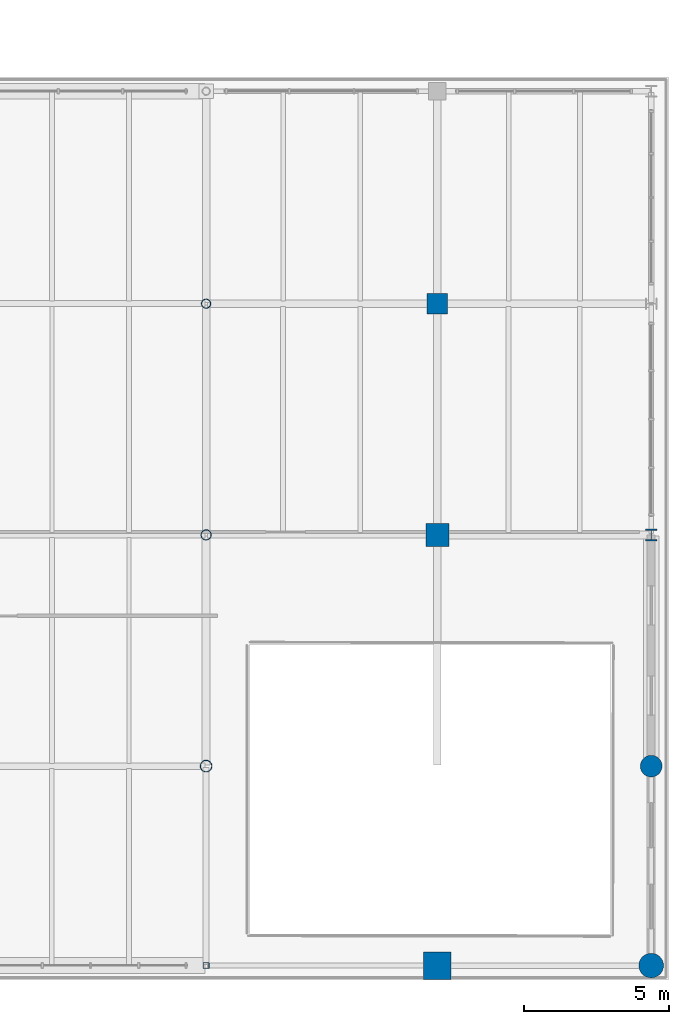
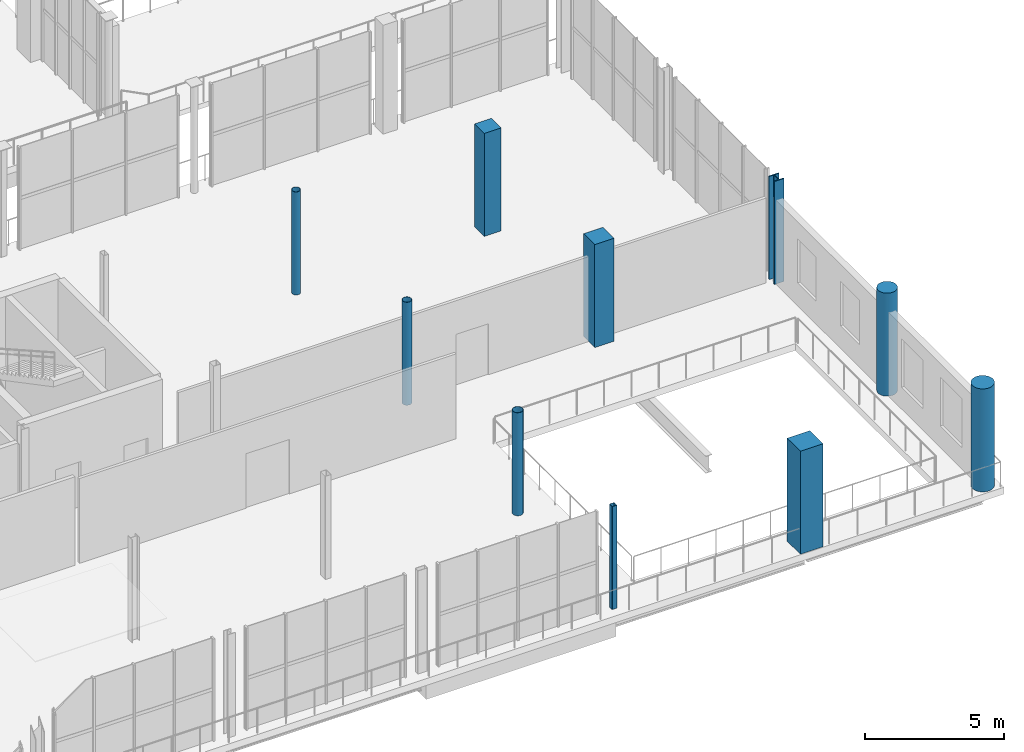
# One storey, part 26 of 93: 10 columns.
"""IFC4 building model written with IfcOpenShell, lengths in metres."""

from ifc_helpers import new_model, si_unit, direction, frame, origin, origin_2d, place, context, subcontext, project, spatial, rectangle, hollow_rectangle, circle, hollow_circle, i_section, extrude, material, material_profile, profile_set, type_object, element, save


model = new_model("IFC4")

# Units and contexts
model_context = context("Model", 3, precision=1e-05, world=origin(), true_north=direction((0.0, 1.0)))
body_context = subcontext(model_context, "Body", "Model", "MODEL_VIEW")
ifc_project = project(units=[si_unit("LENGTHUNIT", "METRE"), si_unit("AREAUNIT", "SQUARE_METRE"), si_unit("VOLUMEUNIT", "CUBIC_METRE"), si_unit("PLANEANGLEUNIT", "RADIAN"), si_unit("MASSUNIT", "GRAM", prefix="KILO")], contexts=[model_context])

# Site, building, storey
site_placement = place(None, origin())
site = spatial("IfcSite", under=ifc_project, at=site_placement, CompositionType="ELEMENT")
building_placement = place(site_placement, origin())
building = spatial("IfcBuilding", under=site, at=building_placement, Name="Brisemont Oceanarium", CompositionType="ELEMENT")
storey_placement = place(building_placement, frame((0.0, 0.0, 5.39990234375)))
storey = spatial("IfcBuildingStorey", under=building, at=storey_placement, Name="L01", CompositionType="ELEMENT", Elevation=5.39990234375)

# Columns
ifc_material_1 = material(Name="Structural Steel ASTM A500 Gr.C", Category="steel")
ifc_material_profile_1 = material_profile(ifc_material_1, hollow_circle(Radius=0.162109375, WallThickness=0.01171875, at=origin_2d()), Name="HSS12.750X0.500")
ifc_profile_set_1 = profile_set([ifc_material_profile_1], Name="Structural Steel ASTM A500 Gr.C")
column_type_1 = type_object("IfcColumnType", Name="COL-CHS12", PredefinedType="COLUMN", material=ifc_profile_set_1)
column_1_placement = place(storey_placement, frame((144.0, 24.0, 0.0), z_axis=(0.0, 0.0, 1.0), x_axis=(0.0, 1.0, 0.0)))
element("IfcColumn", 1, at=column_1_placement, inside=storey, type_object=column_type_1, Name="V3 L01 column (4,3)", PredefinedType="COLUMN", context=body_context, shape_type="SweptSolid", body=[
    extrude(hollow_circle(Radius=0.162109375, WallThickness=0.01171875, at=origin_2d()), origin(), (0.0, 0.0, 1.0), 4.5400390625),
])
ifc_material_2 = material(Name="Structural Steel ASTM A500 Gr.C", Category="steel")
ifc_material_profile_2 = material_profile(ifc_material_2, hollow_circle(Radius=0.177978515625, WallThickness=0.01171875, at=origin_2d()), Name="HSS14.000X0.500")
ifc_profile_set_2 = profile_set([ifc_material_profile_2], Name="Structural Steel ASTM A500 Gr.C")
column_type_2 = type_object("IfcColumnType", Name="COL-CHS14", PredefinedType="COLUMN", material=ifc_profile_set_2)
column_2_placement = place(storey_placement, frame((144.0, 16.0, 0.0), z_axis=(0.0, 0.0, 1.0), x_axis=(1.0, 0.0, 0.0)))
element("IfcColumn", 2, at=column_2_placement, inside=storey, type_object=column_type_2, Name="V3 L01 column (4,2)", PredefinedType="COLUMN", context=body_context, shape_type="SweptSolid", body=[
    extrude(hollow_circle(Radius=0.177978515625, WallThickness=0.01171875, at=origin_2d()), origin(), (0.0, 0.0, 1.0), 4.5400390625),
])
ifc_material_3 = material(Name="Structural Steel ASTM A500 Gr.C", Category="steel")
ifc_material_profile_3 = material_profile(ifc_material_3, hollow_circle(Radius=0.202880859375, WallThickness=0.01171875, at=origin_2d()), Name="HSS16.000X0.500")
ifc_profile_set_3 = profile_set([ifc_material_profile_3], Name="Structural Steel ASTM A500 Gr.C")
column_type_3 = type_object("IfcColumnType", Name="COL-CHS16", PredefinedType="COLUMN", material=ifc_profile_set_3)
column_3_placement = place(storey_placement, frame((144.0, 8.0, 0.0), z_axis=(0.0, 0.0, 1.0), x_axis=(0.0, 1.0, 0.0)))
element("IfcColumn", 3, at=column_3_placement, inside=storey, type_object=column_type_3, Name="V3 L01 column (4,1)", PredefinedType="COLUMN", context=body_context, shape_type="SweptSolid", body=[
    extrude(hollow_circle(Radius=0.202880859375, WallThickness=0.01171875, at=origin_2d()), origin(), (0.0, 0.0, 1.0), 4.5400390625),
])
ifc_material_4 = material(Name="Structural Steel ASTM A500 Gr.C", Category="steel")
ifc_material_profile_4 = material_profile(ifc_material_4, hollow_rectangle(XDim=0.202880859375, YDim=0.202880859375, WallThickness=0.0087890625, InnerFilletRadius=0.009033203125, OuterFilletRadius=0.01806640625, at=origin_2d()), Name="HSS8X8X3/8")
ifc_profile_set_4 = profile_set([ifc_material_profile_4], Name="Structural Steel ASTM A500 Gr.C")
column_type_4 = type_object("IfcColumnType", Name="COL-HSS8X8", PredefinedType="COLUMN", material=ifc_profile_set_4)
column_4_placement = place(storey_placement, frame((144.0, 1.10009765625, 0.0), z_axis=(0.0, 0.0, 1.0), x_axis=(1.0, 0.0, 0.0)))
element("IfcColumn", 4, at=column_4_placement, inside=storey, type_object=column_type_4, Name="V3 L01 column (4,0)", PredefinedType="COLUMN", context=body_context, shape_type="SweptSolid", body=[
    extrude(hollow_rectangle(XDim=0.202880859375, YDim=0.202880859375, WallThickness=0.0087890625, InnerFilletRadius=0.009033203125, OuterFilletRadius=0.01806640625, at=origin_2d()), origin(), (0.0, 0.0, 1.0), 4.5400390625),
])
ifc_material_5 = material(Name="Concrete C35/45", Category="concrete")
ifc_material_profile_5 = material_profile(ifc_material_5, rectangle(XDim=0.699951171875, YDim=0.699951171875, at=origin_2d()), Name="RC-COL-700X700")
ifc_profile_set_5 = profile_set([ifc_material_profile_5], Name="Concrete C35/45")
column_type_5 = type_object("IfcColumnType", Name="COL-RC700", PredefinedType="COLUMN", material=ifc_profile_set_5)
column_5_placement = place(storey_placement, frame((152.0, 24.0, 0.0), z_axis=(0.0, 0.0, 1.0), x_axis=(1.0, 0.0, 0.0)))
element("IfcColumn", 5, at=column_5_placement, inside=storey, type_object=column_type_5, Name="V3 L01 column (5,3)", PredefinedType="COLUMN", context=body_context, shape_type="SweptSolid", body=[
    extrude(rectangle(XDim=0.699951171875, YDim=0.699951171875, at=origin_2d()), origin(), (0.0, 0.0, 1.0), 4.5400390625),
])
ifc_material_6 = material(Name="Concrete C40/50", Category="concrete")
ifc_material_profile_6 = material_profile(ifc_material_6, rectangle(XDim=0.800048828125, YDim=0.800048828125, at=origin_2d()), Name="RC-COL-800X800")
ifc_profile_set_6 = profile_set([ifc_material_profile_6], Name="Concrete C40/50")
column_type_6 = type_object("IfcColumnType", Name="COL-RC800", PredefinedType="COLUMN", material=ifc_profile_set_6)
column_6_placement = place(storey_placement, frame((152.0, 16.0, 0.0), z_axis=(0.0, 0.0, 1.0), x_axis=(0.0, 1.0, 0.0)))
element("IfcColumn", 6, at=column_6_placement, inside=storey, type_object=column_type_6, Name="V3 L01 column (5,2)", PredefinedType="COLUMN", context=body_context, shape_type="SweptSolid", body=[
    extrude(rectangle(XDim=0.800048828125, YDim=0.800048828125, at=origin_2d()), origin(), (0.0, 0.0, 1.0), 4.5400390625),
])
ifc_material_7 = material(Name="Concrete C40/50", Category="concrete")
ifc_material_profile_7 = material_profile(ifc_material_7, rectangle(XDim=0.949951171875, YDim=0.949951171875, at=origin_2d()), Name="RC-COL-950X950")
ifc_profile_set_7 = profile_set([ifc_material_profile_7], Name="Concrete C40/50")
column_type_7 = type_object("IfcColumnType", Name="COL-RC950", PredefinedType="COLUMN", material=ifc_profile_set_7)
column_7_placement = place(storey_placement, frame((152.0, 1.10009765625, 0.0), z_axis=(0.0, 0.0, 1.0), x_axis=(0.0, 1.0, 0.0)))
element("IfcColumn", 7, at=column_7_placement, inside=storey, type_object=column_type_7, Name="V3 L01 column (5,0)", PredefinedType="COLUMN", context=body_context, shape_type="SweptSolid", body=[
    extrude(rectangle(XDim=0.949951171875, YDim=0.949951171875, at=origin_2d()), origin(), (0.0, 0.0, 1.0), 4.5400390625),
])
ifc_material_8 = material(Name="Concrete C40/50", Category="concrete")
ifc_material_profile_8 = material_profile(ifc_material_8, circle(Radius=0.375, at=origin_2d()), Name="RC-COL-D750")
ifc_profile_set_8 = profile_set([ifc_material_profile_8], Name="Concrete C40/50")
column_type_8 = type_object("IfcColumnType", Name="COL-RCD750", PredefinedType="COLUMN", material=ifc_profile_set_8)
column_8_placement = place(storey_placement, frame((159.39990234375, 8.0, 0.0), z_axis=(0.0, 0.0, 1.0), x_axis=(0.0, 1.0, 0.0)))
element("IfcColumn", 8, at=column_8_placement, inside=storey, type_object=column_type_8, Name="V3 L01 column (6,1)", PredefinedType="COLUMN", context=body_context, shape_type="SweptSolid", body=[
    extrude(circle(Radius=0.375, at=origin_2d()), origin(), (0.0, 0.0, 1.0), 4.5400390625),
])
ifc_material_9 = material(Name="Concrete C40/50", Category="concrete")
ifc_material_profile_9 = material_profile(ifc_material_9, circle(Radius=0.425048828125, at=origin_2d()), Name="RC-COL-D850")
ifc_profile_set_9 = profile_set([ifc_material_profile_9], Name="Concrete C40/50")
column_type_9 = type_object("IfcColumnType", Name="COL-RCD850", PredefinedType="COLUMN", material=ifc_profile_set_9)
column_9_placement = place(storey_placement, frame((159.39990234375, 1.10009765625, 0.0), z_axis=(0.0, 0.0, 1.0), x_axis=(1.0, 0.0, 0.0)))
element("IfcColumn", 9, at=column_9_placement, inside=storey, type_object=column_type_9, Name="V3 L01 column (6,0)", PredefinedType="COLUMN", context=body_context, shape_type="SweptSolid", body=[
    extrude(circle(Radius=0.425048828125, at=origin_2d()), origin(), (0.0, 0.0, 1.0), 4.5400390625),
])
ifc_material_10 = material(Name="Structural Steel ASTM A992 Gr.50", Category="steel")
ifc_material_profile_10 = material_profile(ifc_material_10, i_section(OverallWidth=0.406005859375, OverallDepth=0.416015625, WebThickness=0.02978515625, FlangeThickness=0.048095703125, FilletRadius=0.014892578125, at=origin_2d()), Name="W14X257")
ifc_profile_set_10 = profile_set([ifc_material_profile_10], Name="Structural Steel ASTM A992 Gr.50")
column_type_10 = type_object("IfcColumnType", Name="COL-W14X257", PredefinedType="COLUMN", material=ifc_profile_set_10)
column_10_placement = place(storey_placement, frame((159.39990234375, 16.0, 0.0), z_axis=(0.0, 0.0, 1.0), x_axis=(1.0, 0.0, 0.0)))
element("IfcColumn", 10, at=column_10_placement, inside=storey, type_object=column_type_10, Name="V3 L01 column (6,2)", PredefinedType="COLUMN", context=body_context, shape_type="SweptSolid", body=[
    extrude(i_section(OverallWidth=0.406005859375, OverallDepth=0.416015625, WebThickness=0.02978515625, FlangeThickness=0.048095703125, FilletRadius=0.014892578125, at=origin_2d()), origin(), (0.0, 0.0, 1.0), 4.5400390625),
])

save(model, "model.ifc")
